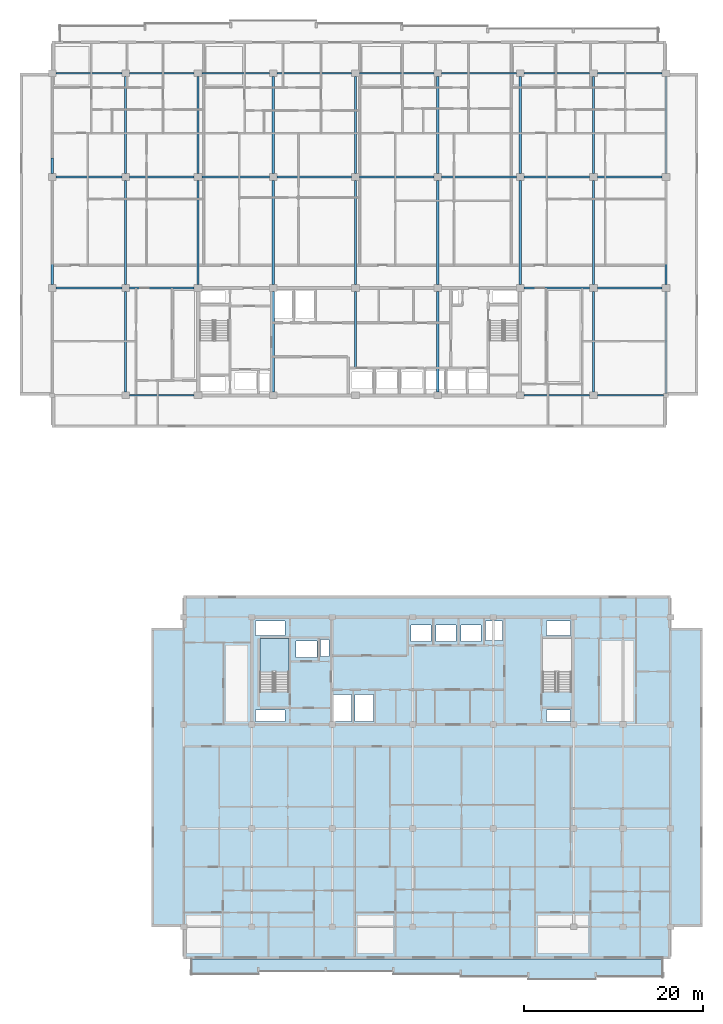
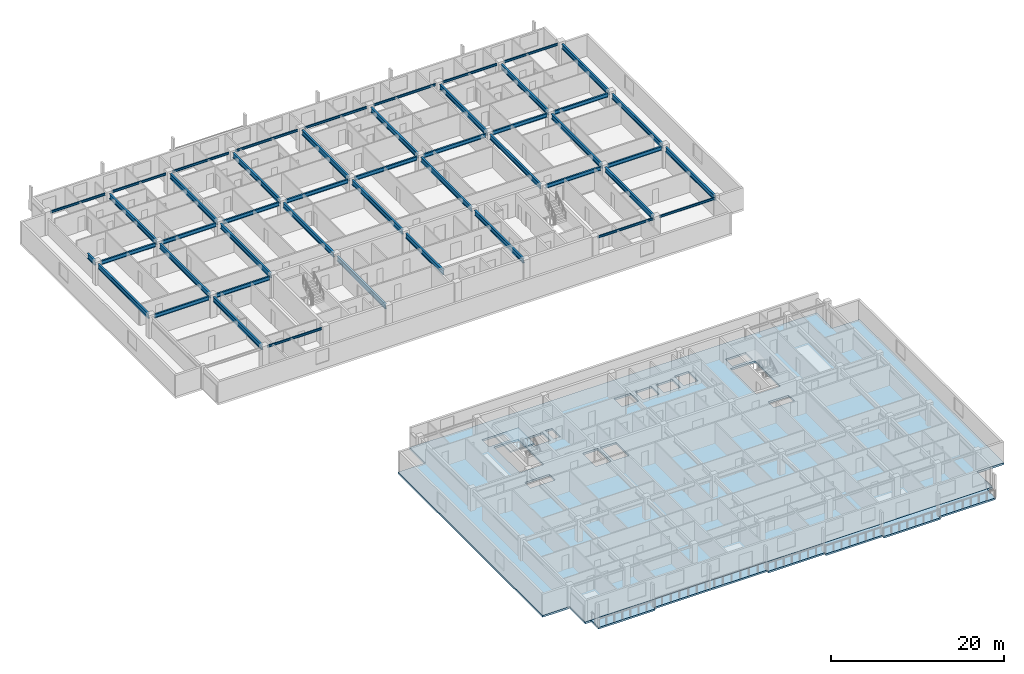
# One storey, part 2 of 24: 47 beams, 3 slabs, 1 element without a shape of its own.
"""IFC4 building model written with IfcOpenShell, lengths in metres."""

from ifc_helpers import new_model, si_unit, direction, frame, origin, origin_2d, place, context, subcontext, project, spatial, polyline, i_section, outline, extrude, material, layer, layer_set, material_profile, profile_set, type_object, element, aggregate, save


model = new_model("IFC4")

# Units and contexts
model_context = context("Model", 3, precision=1e-05, world=origin(), true_north=direction((0.0, 1.0)))
body_context = subcontext(model_context, "Body", "Model", "MODEL_VIEW")
ifc_project = project(units=[si_unit("LENGTHUNIT", "METRE"), si_unit("AREAUNIT", "SQUARE_METRE"), si_unit("VOLUMEUNIT", "CUBIC_METRE"), si_unit("PLANEANGLEUNIT", "RADIAN"), si_unit("MASSUNIT", "GRAM", prefix="KILO")], contexts=[model_context])

# Site, building, storey
site_placement = place(None, origin())
site = spatial("IfcSite", under=ifc_project, at=site_placement, CompositionType="ELEMENT")
building_placement = place(site_placement, origin())
building = spatial("IfcBuilding", under=site, at=building_placement, Name="Korimba Cascade Residences", CompositionType="ELEMENT")
storey_placement = place(building_placement, frame((0.0, 0.0, 168.60009765625)))
storey = spatial("IfcBuildingStorey", under=building, at=storey_placement, Name="L48", CompositionType="ELEMENT", Elevation=168.60009765625)

# Beams
ifc_material_1 = material(Name="Steel S355", Category="steel")
ifc_material_profile_1 = material_profile(ifc_material_1, i_section(OverallWidth=0.165771484375, OverallDepth=0.306640625, WebThickness=0.006591796875, FlangeThickness=0.01171875, FilletRadius=0.0087890625, at=origin_2d()), Name="Steel S355")
ifc_profile_set_1 = profile_set([ifc_material_profile_1], Name="Steel S355")
beam_type_1 = type_object("IfcBeamType", Name="BM-STL-UB305", PredefinedType="SPANDREL", material=ifc_profile_set_1)
beam_1_placement = place(storey_placement, frame((68.425048828125, 55.199951171875, 2.816650390625), z_axis=(1.0, 0.0, 0.0), x_axis=(0.0, 1.0, 0.0)))
element("IfcBeam", 1, at=beam_1_placement, inside=storey, type_object=beam_type_1, Name="L48 T1 E-W Girder Y1 Bay 2", PredefinedType="SPANDREL", context=body_context, shape_type="SweptSolid", body=[
    extrude(i_section(OverallWidth=0.165771484375, OverallDepth=0.306640625, WebThickness=0.006591796875, FlangeThickness=0.01171875, FilletRadius=0.0087890625, at=origin_2d()), origin(), (0.0, 0.0, 1.0), 7.25),
])
beam_2_placement = place(storey_placement, frame((112.52490234375, 55.199951171875, 2.816650390625), z_axis=(1.0, 0.0, 0.0), x_axis=(0.0, 1.0, 0.0)))
element("IfcBeam", 2, at=beam_2_placement, inside=storey, type_object=beam_type_1, Name="L48 T1 E-W Girder Y1 Bay 7", PredefinedType="SPANDREL", context=body_context, shape_type="SweptSolid", body=[
    extrude(i_section(OverallWidth=0.165771484375, OverallDepth=0.306640625, WebThickness=0.006591796875, FlangeThickness=0.01171875, FilletRadius=0.0087890625, at=origin_2d()), origin(), (0.0, 0.0, 1.0), 7.35009765625),
])
beam_3_placement = place(storey_placement, frame((120.72509765625, 55.199951171875, 2.816650390625), z_axis=(1.0, 0.0, 0.0), x_axis=(0.0, 1.0, 0.0)))
element("IfcBeam", 3, at=beam_3_placement, inside=storey, type_object=beam_type_1, Name="L48 T1 E-W Girder Y1 Bay 8", PredefinedType="SPANDREL", context=body_context, shape_type="SweptSolid", body=[
    extrude(i_section(OverallWidth=0.165771484375, OverallDepth=0.306640625, WebThickness=0.006591796875, FlangeThickness=0.01171875, FilletRadius=0.0087890625, at=origin_2d()), origin(), (0.0, 0.0, 1.0), 7.39990234375),
])
beam_4_placement = place(storey_placement, frame((60.22509765625, 91.199951171875, 2.816650390625), z_axis=(1.0, 0.0, 0.0), x_axis=(0.0, 1.0, 0.0)))
element("IfcBeam", 4, at=beam_4_placement, inside=storey, type_object=beam_type_1, Name="L48 T1 E-W Girder Y4 Bay 1", PredefinedType="SPANDREL", context=body_context, shape_type="SweptSolid", body=[
    extrude(i_section(OverallWidth=0.165771484375, OverallDepth=0.306640625, WebThickness=0.006591796875, FlangeThickness=0.01171875, FilletRadius=0.0087890625, at=origin_2d()), origin(), (0.0, 0.0, 1.0), 7.349853515625),
])
beam_5_placement = place(storey_placement, frame((68.425048828125, 91.199951171875, 2.816650390625), z_axis=(1.0, 0.0, 0.0), x_axis=(0.0, 1.0, 0.0)))
element("IfcBeam", 5, at=beam_5_placement, inside=storey, type_object=beam_type_1, Name="L48 T1 E-W Girder Y4 Bay 2", PredefinedType="SPANDREL", context=body_context, shape_type="SweptSolid", body=[
    extrude(i_section(OverallWidth=0.165771484375, OverallDepth=0.306640625, WebThickness=0.006591796875, FlangeThickness=0.01171875, FilletRadius=0.0087890625, at=origin_2d()), origin(), (0.0, 0.0, 1.0), 7.25),
])
beam_6_placement = place(storey_placement, frame((76.52490234375, 91.199951171875, 2.816650390625), z_axis=(1.0, 0.0, 0.0), x_axis=(0.0, 1.0, 0.0)))
element("IfcBeam", 6, at=beam_6_placement, inside=storey, type_object=beam_type_1, Name="L48 T1 E-W Girder Y4 Bay 3", PredefinedType="SPANDREL", context=body_context, shape_type="SweptSolid", body=[
    extrude(i_section(OverallWidth=0.165771484375, OverallDepth=0.306640625, WebThickness=0.006591796875, FlangeThickness=0.01171875, FilletRadius=0.0087890625, at=origin_2d()), origin(), (0.0, 0.0, 1.0), 7.550048828125),
])
beam_7_placement = place(storey_placement, frame((84.925048828125, 91.199951171875, 2.816650390625), z_axis=(1.0, 0.0, 0.0), x_axis=(0.0, 1.0, 0.0)))
element("IfcBeam", 7, at=beam_7_placement, inside=storey, type_object=beam_type_1, Name="L48 T1 E-W Girder Y4 Bay 4", PredefinedType="SPANDREL", context=body_context, shape_type="SweptSolid", body=[
    extrude(i_section(OverallWidth=0.165771484375, OverallDepth=0.306640625, WebThickness=0.006591796875, FlangeThickness=0.01171875, FilletRadius=0.0087890625, at=origin_2d()), origin(), (0.0, 0.0, 1.0), 8.349853515625),
])
for number, where, z_axis, x_axis, name in (
    (8, (94.125, 91.199951171875, 2.816650390625), (1.0, 0.0, 0.0), (0.0, 1.0, 0.0), "L48 T1 E-W Girder Y4 Bay 5"),
    (9, (103.324951171875, 91.199951171875, 2.816650390625), (1.0, 0.0, 0.0), (0.0, 1.0, 0.0), "L48 T1 E-W Girder Y4 Bay 6"),
):
    element("IfcBeam", number, at=place(storey_placement, frame(where, z_axis=z_axis, x_axis=x_axis)), inside=storey, type_object=beam_type_1, Name=name, PredefinedType="SPANDREL", context=body_context, shape_type="SweptSolid", body=[
        extrude(i_section(OverallWidth=0.165771484375, OverallDepth=0.306640625, WebThickness=0.006591796875, FlangeThickness=0.01171875, FilletRadius=0.0087890625, at=origin_2d()), origin(), (0.0, 0.0, 1.0), 8.35009765625),
    ])
beam_8_placement = place(storey_placement, frame((112.52490234375, 91.199951171875, 2.816650390625), z_axis=(1.0, 0.0, 0.0), x_axis=(0.0, 1.0, 0.0)))
element("IfcBeam", 10, at=beam_8_placement, inside=storey, type_object=beam_type_1, Name="L48 T1 E-W Girder Y4 Bay 7", PredefinedType="SPANDREL", context=body_context, shape_type="SweptSolid", body=[
    extrude(i_section(OverallWidth=0.165771484375, OverallDepth=0.306640625, WebThickness=0.006591796875, FlangeThickness=0.01171875, FilletRadius=0.0087890625, at=origin_2d()), origin(), (0.0, 0.0, 1.0), 7.35009765625),
])
beam_9_placement = place(storey_placement, frame((120.72509765625, 91.199951171875, 2.816650390625), z_axis=(1.0, 0.0, 0.0), x_axis=(0.0, 1.0, 0.0)))
element("IfcBeam", 11, at=beam_9_placement, inside=storey, type_object=beam_type_1, Name="L48 T1 E-W Girder Y4 Bay 8", PredefinedType="SPANDREL", context=body_context, shape_type="SweptSolid", body=[
    extrude(i_section(OverallWidth=0.165771484375, OverallDepth=0.306640625, WebThickness=0.006591796875, FlangeThickness=0.01171875, FilletRadius=0.0087890625, at=origin_2d()), origin(), (0.0, 0.0, 1.0), 7.25),
])
ifc_material_profile_2 = material_profile(ifc_material_1, i_section(OverallWidth=0.2099609375, OverallDepth=0.53662109375, WebThickness=0.0107421875, FlangeThickness=0.017333984375, FilletRadius=0.0126953125, at=origin_2d()), Name="Steel S355")
ifc_profile_set_2 = profile_set([ifc_material_profile_2], Name="Steel S355")
beam_type_2 = type_object("IfcBeamType", Name="BM-STL-UB533", PredefinedType="BEAM", material=ifc_profile_set_2)
beam_10_placement = place(storey_placement, frame((60.22509765625, 67.199951171875, 2.701416015625), z_axis=(1.0, 0.0, 0.0), x_axis=(0.0, 1.0, 0.0)))
element("IfcBeam", 12, at=beam_10_placement, inside=storey, type_object=beam_type_2, Name="L48 T1 E-W Girder Y2 Bay 1", PredefinedType="BEAM", context=body_context, shape_type="SweptSolid", body=[
    extrude(i_section(OverallWidth=0.2099609375, OverallDepth=0.53662109375, WebThickness=0.0107421875, FlangeThickness=0.017333984375, FilletRadius=0.0126953125, at=origin_2d()), origin(), (0.0, 0.0, 1.0), 7.349853515625),
])
beam_11_placement = place(storey_placement, frame((68.425048828125, 67.199951171875, 2.701416015625), z_axis=(1.0, 0.0, 0.0), x_axis=(0.0, 1.0, 0.0)))
element("IfcBeam", 13, at=beam_11_placement, inside=storey, type_object=beam_type_2, Name="L48 T1 E-W Girder Y2 Bay 2", PredefinedType="BEAM", context=body_context, shape_type="SweptSolid", body=[
    extrude(i_section(OverallWidth=0.2099609375, OverallDepth=0.53662109375, WebThickness=0.0107421875, FlangeThickness=0.017333984375, FilletRadius=0.0126953125, at=origin_2d()), origin(), (0.0, 0.0, 1.0), 7.25),
])
beam_12_placement = place(storey_placement, frame((112.52490234375, 67.199951171875, 2.701416015625), z_axis=(1.0, 0.0, 0.0), x_axis=(0.0, 1.0, 0.0)))
element("IfcBeam", 14, at=beam_12_placement, inside=storey, type_object=beam_type_2, Name="L48 T1 E-W Girder Y2 Bay 7", PredefinedType="BEAM", context=body_context, shape_type="SweptSolid", body=[
    extrude(i_section(OverallWidth=0.2099609375, OverallDepth=0.53662109375, WebThickness=0.0107421875, FlangeThickness=0.017333984375, FilletRadius=0.0126953125, at=origin_2d()), origin(), (0.0, 0.0, 1.0), 7.35009765625),
])
beam_13_placement = place(storey_placement, frame((120.72509765625, 67.199951171875, 2.701416015625), z_axis=(1.0, 0.0, 0.0), x_axis=(0.0, 1.0, 0.0)))
element("IfcBeam", 15, at=beam_13_placement, inside=storey, type_object=beam_type_2, Name="L48 T1 E-W Girder Y2 Bay 8", PredefinedType="BEAM", context=body_context, shape_type="SweptSolid", body=[
    extrude(i_section(OverallWidth=0.2099609375, OverallDepth=0.53662109375, WebThickness=0.0107421875, FlangeThickness=0.017333984375, FilletRadius=0.0126953125, at=origin_2d()), origin(), (0.0, 0.0, 1.0), 7.25),
])
beam_14_placement = place(storey_placement, frame((60.22509765625, 79.60009765625, 2.701416015625), z_axis=(1.0, 0.0, 0.0), x_axis=(0.0, 1.0, 0.0)))
element("IfcBeam", 16, at=beam_14_placement, inside=storey, type_object=beam_type_2, Name="L48 T1 E-W Girder Y3 Bay 1", PredefinedType="BEAM", context=body_context, shape_type="SweptSolid", body=[
    extrude(i_section(OverallWidth=0.2099609375, OverallDepth=0.53662109375, WebThickness=0.0107421875, FlangeThickness=0.017333984375, FilletRadius=0.0126953125, at=origin_2d()), origin(), (0.0, 0.0, 1.0), 7.349853515625),
])
beam_15_placement = place(storey_placement, frame((68.425048828125, 79.60009765625, 2.701416015625), z_axis=(1.0, 0.0, 0.0), x_axis=(0.0, 1.0, 0.0)))
element("IfcBeam", 17, at=beam_15_placement, inside=storey, type_object=beam_type_2, Name="L48 T1 E-W Girder Y3 Bay 2", PredefinedType="BEAM", context=body_context, shape_type="SweptSolid", body=[
    extrude(i_section(OverallWidth=0.2099609375, OverallDepth=0.53662109375, WebThickness=0.0107421875, FlangeThickness=0.017333984375, FilletRadius=0.0126953125, at=origin_2d()), origin(), (0.0, 0.0, 1.0), 7.25),
])
beam_16_placement = place(storey_placement, frame((76.52490234375, 79.60009765625, 2.701416015625), z_axis=(1.0, 0.0, 0.0), x_axis=(0.0, 1.0, 0.0)))
element("IfcBeam", 18, at=beam_16_placement, inside=storey, type_object=beam_type_2, Name="L48 T1 E-W Girder Y3 Bay 3", PredefinedType="BEAM", context=body_context, shape_type="SweptSolid", body=[
    extrude(i_section(OverallWidth=0.2099609375, OverallDepth=0.53662109375, WebThickness=0.0107421875, FlangeThickness=0.017333984375, FilletRadius=0.0126953125, at=origin_2d()), origin(), (0.0, 0.0, 1.0), 7.550048828125),
])
beam_17_placement = place(storey_placement, frame((84.925048828125, 79.60009765625, 2.701416015625), z_axis=(1.0, 0.0, 0.0), x_axis=(0.0, 1.0, 0.0)))
element("IfcBeam", 19, at=beam_17_placement, inside=storey, type_object=beam_type_2, Name="L48 T1 E-W Girder Y3 Bay 4", PredefinedType="BEAM", context=body_context, shape_type="SweptSolid", body=[
    extrude(i_section(OverallWidth=0.2099609375, OverallDepth=0.53662109375, WebThickness=0.0107421875, FlangeThickness=0.017333984375, FilletRadius=0.0126953125, at=origin_2d()), origin(), (0.0, 0.0, 1.0), 8.349853515625),
])
for number, where, z_axis, x_axis, name in (
    (20, (94.125, 79.60009765625, 2.701416015625), (1.0, 0.0, 0.0), (0.0, 1.0, 0.0), "L48 T1 E-W Girder Y3 Bay 5"),
    (21, (103.324951171875, 79.60009765625, 2.701416015625), (1.0, 0.0, 0.0), (0.0, 1.0, 0.0), "L48 T1 E-W Girder Y3 Bay 6"),
):
    element("IfcBeam", number, at=place(storey_placement, frame(where, z_axis=z_axis, x_axis=x_axis)), inside=storey, type_object=beam_type_2, Name=name, PredefinedType="BEAM", context=body_context, shape_type="SweptSolid", body=[
        extrude(i_section(OverallWidth=0.2099609375, OverallDepth=0.53662109375, WebThickness=0.0107421875, FlangeThickness=0.017333984375, FilletRadius=0.0126953125, at=origin_2d()), origin(), (0.0, 0.0, 1.0), 8.35009765625),
    ])
beam_18_placement = place(storey_placement, frame((112.52490234375, 79.60009765625, 2.701416015625), z_axis=(1.0, 0.0, 0.0), x_axis=(0.0, 1.0, 0.0)))
element("IfcBeam", 22, at=beam_18_placement, inside=storey, type_object=beam_type_2, Name="L48 T1 E-W Girder Y3 Bay 7", PredefinedType="BEAM", context=body_context, shape_type="SweptSolid", body=[
    extrude(i_section(OverallWidth=0.2099609375, OverallDepth=0.53662109375, WebThickness=0.0107421875, FlangeThickness=0.017333984375, FilletRadius=0.0126953125, at=origin_2d()), origin(), (0.0, 0.0, 1.0), 7.35009765625),
])
beam_19_placement = place(storey_placement, frame((120.72509765625, 79.60009765625, 2.701416015625), z_axis=(1.0, 0.0, 0.0), x_axis=(0.0, 1.0, 0.0)))
element("IfcBeam", 23, at=beam_19_placement, inside=storey, type_object=beam_type_2, Name="L48 T1 E-W Girder Y3 Bay 8", PredefinedType="BEAM", context=body_context, shape_type="SweptSolid", body=[
    extrude(i_section(OverallWidth=0.2099609375, OverallDepth=0.53662109375, WebThickness=0.0107421875, FlangeThickness=0.017333984375, FilletRadius=0.0126953125, at=origin_2d()), origin(), (0.0, 0.0, 1.0), 7.25),
])
ifc_material_profile_3 = material_profile(ifc_material_1, i_section(OverallWidth=0.255859375, OverallDepth=0.69287109375, WebThickness=0.014404296875, FlangeThickness=0.023681640625, FilletRadius=0.01513671875, at=origin_2d()), Name="Steel S355")
ifc_profile_set_3 = profile_set([ifc_material_profile_3], Name="Steel S355")
beam_type_3 = type_object("IfcBeamType", Name="BM-STL-UB686", PredefinedType="BEAM", material=ifc_profile_set_3)
beam_20_placement = place(storey_placement, frame((59.800048828125, 67.574951171875, 2.623291015625), z_axis=(0.0, 1.0, 0.0), x_axis=(-1.0, 0.0, 0.0)))
element("IfcBeam", 24, at=beam_20_placement, inside=storey, type_object=beam_type_3, Name="L48 T1 N-S Girder X1 Seg 2", PredefinedType="BEAM", context=body_context, shape_type="SweptSolid", body=[
    extrude(i_section(OverallWidth=0.255859375, OverallDepth=0.69287109375, WebThickness=0.014404296875, FlangeThickness=0.023681640625, FilletRadius=0.01513671875, at=origin_2d()), origin(), (0.0, 0.0, 1.0), 11.650146484375),
])
beam_21_placement = place(storey_placement, frame((59.800048828125, 79.97509765625, 2.623291015625), z_axis=(0.0, 1.0, 0.0), x_axis=(-1.0, 0.0, 0.0)))
element("IfcBeam", 25, at=beam_21_placement, inside=storey, type_object=beam_type_3, Name="L48 T1 N-S Girder X1 Seg 3", PredefinedType="BEAM", context=body_context, shape_type="SweptSolid", body=[
    extrude(i_section(OverallWidth=0.255859375, OverallDepth=0.69287109375, WebThickness=0.014404296875, FlangeThickness=0.023681640625, FilletRadius=0.01513671875, at=origin_2d()), origin(), (0.0, 0.0, 1.0), 1.724853515625),
])
beam_22_placement = place(storey_placement, frame((68.0, 55.574951171875, 2.623291015625), z_axis=(0.0, 1.0, 0.0), x_axis=(-1.0, 0.0, 0.0)))
element("IfcBeam", 26, at=beam_22_placement, inside=storey, type_object=beam_type_3, Name="L48 T1 N-S Girder X2 Seg 1", PredefinedType="BEAM", context=body_context, shape_type="SweptSolid", body=[
    extrude(i_section(OverallWidth=0.255859375, OverallDepth=0.69287109375, WebThickness=0.014404296875, FlangeThickness=0.023681640625, FilletRadius=0.01513671875, at=origin_2d()), origin(), (0.0, 0.0, 1.0), 11.25),
])
beam_23_placement = place(storey_placement, frame((68.0, 67.574951171875, 2.623291015625), z_axis=(0.0, 1.0, 0.0), x_axis=(-1.0, 0.0, 0.0)))
element("IfcBeam", 27, at=beam_23_placement, inside=storey, type_object=beam_type_3, Name="L48 T1 N-S Girder X2 Seg 2", PredefinedType="BEAM", context=body_context, shape_type="SweptSolid", body=[
    extrude(i_section(OverallWidth=0.255859375, OverallDepth=0.69287109375, WebThickness=0.014404296875, FlangeThickness=0.023681640625, FilletRadius=0.01513671875, at=origin_2d()), origin(), (0.0, 0.0, 1.0), 11.650146484375),
])
beam_24_placement = place(storey_placement, frame((68.0, 79.97509765625, 2.623291015625), z_axis=(0.0, 1.0, 0.0), x_axis=(-1.0, 0.0, 0.0)))
element("IfcBeam", 28, at=beam_24_placement, inside=storey, type_object=beam_type_3, Name="L48 T1 N-S Girder X2 Seg 3", PredefinedType="BEAM", context=body_context, shape_type="SweptSolid", body=[
    extrude(i_section(OverallWidth=0.255859375, OverallDepth=0.69287109375, WebThickness=0.014404296875, FlangeThickness=0.023681640625, FilletRadius=0.01513671875, at=origin_2d()), origin(), (0.0, 0.0, 1.0), 10.849853515625),
])
beam_25_placement = place(storey_placement, frame((76.10009765625, 67.574951171875, 2.623291015625), z_axis=(0.0, 1.0, 0.0), x_axis=(-1.0, 0.0, 0.0)))
element("IfcBeam", 29, at=beam_25_placement, inside=storey, type_object=beam_type_3, Name="L48 T1 N-S Girder X3 Seg 2", PredefinedType="BEAM", context=body_context, shape_type="SweptSolid", body=[
    extrude(i_section(OverallWidth=0.255859375, OverallDepth=0.69287109375, WebThickness=0.014404296875, FlangeThickness=0.023681640625, FilletRadius=0.01513671875, at=origin_2d()), origin(), (0.0, 0.0, 1.0), 11.650146484375),
])
beam_26_placement = place(storey_placement, frame((76.10009765625, 79.97509765625, 2.623291015625), z_axis=(0.0, 1.0, 0.0), x_axis=(-1.0, 0.0, 0.0)))
element("IfcBeam", 30, at=beam_26_placement, inside=storey, type_object=beam_type_3, Name="L48 T1 N-S Girder X3 Seg 3", PredefinedType="BEAM", context=body_context, shape_type="SweptSolid", body=[
    extrude(i_section(OverallWidth=0.255859375, OverallDepth=0.69287109375, WebThickness=0.014404296875, FlangeThickness=0.023681640625, FilletRadius=0.01513671875, at=origin_2d()), origin(), (0.0, 0.0, 1.0), 10.849853515625),
])
beam_27_placement = place(storey_placement, frame((84.5, 55.574951171875, 2.623291015625), z_axis=(0.0, 1.0, 0.0), x_axis=(-1.0, 0.0, 0.0)))
element("IfcBeam", 31, at=beam_27_placement, inside=storey, type_object=beam_type_3, Name="L48 T1 N-S Girder X4 Seg 1", PredefinedType="BEAM", context=body_context, shape_type="SweptSolid", body=[
    extrude(i_section(OverallWidth=0.255859375, OverallDepth=0.69287109375, WebThickness=0.014404296875, FlangeThickness=0.023681640625, FilletRadius=0.01513671875, at=origin_2d()), origin(), (0.0, 0.0, 1.0), 11.25),
])
beam_28_placement = place(storey_placement, frame((84.5, 67.574951171875, 2.623291015625), z_axis=(0.0, 1.0, 0.0), x_axis=(-1.0, 0.0, 0.0)))
element("IfcBeam", 32, at=beam_28_placement, inside=storey, type_object=beam_type_3, Name="L48 T1 N-S Girder X4 Seg 2", PredefinedType="BEAM", context=body_context, shape_type="SweptSolid", body=[
    extrude(i_section(OverallWidth=0.255859375, OverallDepth=0.69287109375, WebThickness=0.014404296875, FlangeThickness=0.023681640625, FilletRadius=0.01513671875, at=origin_2d()), origin(), (0.0, 0.0, 1.0), 11.650146484375),
])
beam_29_placement = place(storey_placement, frame((84.5, 79.97509765625, 2.623291015625), z_axis=(0.0, 1.0, 0.0), x_axis=(-1.0, 0.0, 0.0)))
element("IfcBeam", 33, at=beam_29_placement, inside=storey, type_object=beam_type_3, Name="L48 T1 N-S Girder X4 Seg 3", PredefinedType="BEAM", context=body_context, shape_type="SweptSolid", body=[
    extrude(i_section(OverallWidth=0.255859375, OverallDepth=0.69287109375, WebThickness=0.014404296875, FlangeThickness=0.023681640625, FilletRadius=0.01513671875, at=origin_2d()), origin(), (0.0, 0.0, 1.0), 10.849853515625),
])
beam_30_placement = place(storey_placement, frame((93.699951171875, 58.159912109375, 2.623291015625), z_axis=(0.0, 1.0, 0.0), x_axis=(-1.0, 0.0, 0.0)))
element("IfcBeam", 34, at=beam_30_placement, inside=storey, type_object=beam_type_3, Name="L48 T1 N-S Girder X5 Seg 1", PredefinedType="BEAM", context=body_context, shape_type="SweptSolid", body=[
    extrude(i_section(OverallWidth=0.255859375, OverallDepth=0.69287109375, WebThickness=0.014404296875, FlangeThickness=0.023681640625, FilletRadius=0.01513671875, at=origin_2d()), origin(), (0.0, 0.0, 1.0), 8.6650390625),
])
beam_31_placement = place(storey_placement, frame((93.699951171875, 67.574951171875, 2.623291015625), z_axis=(0.0, 1.0, 0.0), x_axis=(-1.0, 0.0, 0.0)))
element("IfcBeam", 35, at=beam_31_placement, inside=storey, type_object=beam_type_3, Name="L48 T1 N-S Girder X5 Seg 2", PredefinedType="BEAM", context=body_context, shape_type="SweptSolid", body=[
    extrude(i_section(OverallWidth=0.255859375, OverallDepth=0.69287109375, WebThickness=0.014404296875, FlangeThickness=0.023681640625, FilletRadius=0.01513671875, at=origin_2d()), origin(), (0.0, 0.0, 1.0), 11.650146484375),
])
beam_32_placement = place(storey_placement, frame((93.699951171875, 79.97509765625, 2.623291015625), z_axis=(0.0, 1.0, 0.0), x_axis=(-1.0, 0.0, 0.0)))
element("IfcBeam", 36, at=beam_32_placement, inside=storey, type_object=beam_type_3, Name="L48 T1 N-S Girder X5 Seg 3", PredefinedType="BEAM", context=body_context, shape_type="SweptSolid", body=[
    extrude(i_section(OverallWidth=0.255859375, OverallDepth=0.69287109375, WebThickness=0.014404296875, FlangeThickness=0.023681640625, FilletRadius=0.01513671875, at=origin_2d()), origin(), (0.0, 0.0, 1.0), 10.849853515625),
])
beam_33_placement = place(storey_placement, frame((102.89990234375, 55.574951171875, 2.623291015625), z_axis=(0.0, 1.0, 0.0), x_axis=(-1.0, 0.0, 0.0)))
element("IfcBeam", 37, at=beam_33_placement, inside=storey, type_object=beam_type_3, Name="L48 T1 N-S Girder X6 Seg 1", PredefinedType="BEAM", context=body_context, shape_type="SweptSolid", body=[
    extrude(i_section(OverallWidth=0.255859375, OverallDepth=0.69287109375, WebThickness=0.014404296875, FlangeThickness=0.023681640625, FilletRadius=0.01513671875, at=origin_2d()), origin(), (0.0, 0.0, 1.0), 11.25),
])
beam_34_placement = place(storey_placement, frame((102.89990234375, 67.574951171875, 2.623291015625), z_axis=(0.0, 1.0, 0.0), x_axis=(-1.0, 0.0, 0.0)))
element("IfcBeam", 38, at=beam_34_placement, inside=storey, type_object=beam_type_3, Name="L48 T1 N-S Girder X6 Seg 2", PredefinedType="BEAM", context=body_context, shape_type="SweptSolid", body=[
    extrude(i_section(OverallWidth=0.255859375, OverallDepth=0.69287109375, WebThickness=0.014404296875, FlangeThickness=0.023681640625, FilletRadius=0.01513671875, at=origin_2d()), origin(), (0.0, 0.0, 1.0), 11.650146484375),
])
beam_35_placement = place(storey_placement, frame((102.89990234375, 79.97509765625, 2.623291015625), z_axis=(0.0, 1.0, 0.0), x_axis=(-1.0, 0.0, 0.0)))
element("IfcBeam", 39, at=beam_35_placement, inside=storey, type_object=beam_type_3, Name="L48 T1 N-S Girder X6 Seg 3", PredefinedType="BEAM", context=body_context, shape_type="SweptSolid", body=[
    extrude(i_section(OverallWidth=0.255859375, OverallDepth=0.69287109375, WebThickness=0.014404296875, FlangeThickness=0.023681640625, FilletRadius=0.01513671875, at=origin_2d()), origin(), (0.0, 0.0, 1.0), 10.849853515625),
])
beam_36_placement = place(storey_placement, frame((112.10009765625, 67.574951171875, 2.623291015625), z_axis=(0.0, 1.0, 0.0), x_axis=(-1.0, 0.0, 0.0)))
element("IfcBeam", 40, at=beam_36_placement, inside=storey, type_object=beam_type_3, Name="L48 T1 N-S Girder X7 Seg 2", PredefinedType="BEAM", context=body_context, shape_type="SweptSolid", body=[
    extrude(i_section(OverallWidth=0.255859375, OverallDepth=0.69287109375, WebThickness=0.014404296875, FlangeThickness=0.023681640625, FilletRadius=0.01513671875, at=origin_2d()), origin(), (0.0, 0.0, 1.0), 11.650146484375),
])
beam_37_placement = place(storey_placement, frame((112.10009765625, 79.97509765625, 2.623291015625), z_axis=(0.0, 1.0, 0.0), x_axis=(-1.0, 0.0, 0.0)))
element("IfcBeam", 41, at=beam_37_placement, inside=storey, type_object=beam_type_3, Name="L48 T1 N-S Girder X7 Seg 3", PredefinedType="BEAM", context=body_context, shape_type="SweptSolid", body=[
    extrude(i_section(OverallWidth=0.255859375, OverallDepth=0.69287109375, WebThickness=0.014404296875, FlangeThickness=0.023681640625, FilletRadius=0.01513671875, at=origin_2d()), origin(), (0.0, 0.0, 1.0), 10.849853515625),
])
beam_38_placement = place(storey_placement, frame((120.300048828125, 55.574951171875, 2.623291015625), z_axis=(0.0, 1.0, 0.0), x_axis=(-1.0, 0.0, 0.0)))
element("IfcBeam", 42, at=beam_38_placement, inside=storey, type_object=beam_type_3, Name="L48 T1 N-S Girder X8 Seg 1", PredefinedType="BEAM", context=body_context, shape_type="SweptSolid", body=[
    extrude(i_section(OverallWidth=0.255859375, OverallDepth=0.69287109375, WebThickness=0.014404296875, FlangeThickness=0.023681640625, FilletRadius=0.01513671875, at=origin_2d()), origin(), (0.0, 0.0, 1.0), 11.25),
])
beam_39_placement = place(storey_placement, frame((120.300048828125, 67.574951171875, 2.623291015625), z_axis=(0.0, 1.0, 0.0), x_axis=(-1.0, 0.0, 0.0)))
element("IfcBeam", 43, at=beam_39_placement, inside=storey, type_object=beam_type_3, Name="L48 T1 N-S Girder X8 Seg 2", PredefinedType="BEAM", context=body_context, shape_type="SweptSolid", body=[
    extrude(i_section(OverallWidth=0.255859375, OverallDepth=0.69287109375, WebThickness=0.014404296875, FlangeThickness=0.023681640625, FilletRadius=0.01513671875, at=origin_2d()), origin(), (0.0, 0.0, 1.0), 11.650146484375),
])
beam_40_placement = place(storey_placement, frame((120.300048828125, 79.97509765625, 2.623291015625), z_axis=(0.0, 1.0, 0.0), x_axis=(-1.0, 0.0, 0.0)))
element("IfcBeam", 44, at=beam_40_placement, inside=storey, type_object=beam_type_3, Name="L48 T1 N-S Girder X8 Seg 3", PredefinedType="BEAM", context=body_context, shape_type="SweptSolid", body=[
    extrude(i_section(OverallWidth=0.255859375, OverallDepth=0.69287109375, WebThickness=0.014404296875, FlangeThickness=0.023681640625, FilletRadius=0.01513671875, at=origin_2d()), origin(), (0.0, 0.0, 1.0), 10.849853515625),
])
beam_41_placement = place(storey_placement, frame((128.39990234375, 55.425048828125, 2.623291015625), z_axis=(0.0, 1.0, 0.0), x_axis=(-1.0, 0.0, 0.0)))
element("IfcBeam", 45, at=beam_41_placement, inside=storey, type_object=beam_type_3, Name="L48 T1 N-S Girder X9 Seg 1", PredefinedType="BEAM", context=body_context, shape_type="SweptSolid", body=[
    extrude(i_section(OverallWidth=0.255859375, OverallDepth=0.69287109375, WebThickness=0.014404296875, FlangeThickness=0.023681640625, FilletRadius=0.01513671875, at=origin_2d()), origin(), (0.0, 0.0, 1.0), 11.39990234375),
])
beam_42_placement = place(storey_placement, frame((128.39990234375, 67.574951171875, 2.623291015625), z_axis=(0.0, 1.0, 0.0), x_axis=(-1.0, 0.0, 0.0)))
element("IfcBeam", 46, at=beam_42_placement, inside=storey, type_object=beam_type_3, Name="L48 T1 N-S Girder X9 Seg 2", PredefinedType="BEAM", context=body_context, shape_type="SweptSolid", body=[
    extrude(i_section(OverallWidth=0.255859375, OverallDepth=0.69287109375, WebThickness=0.014404296875, FlangeThickness=0.023681640625, FilletRadius=0.01513671875, at=origin_2d()), origin(), (0.0, 0.0, 1.0), 11.650146484375),
])
beam_43_placement = place(storey_placement, frame((128.39990234375, 79.97509765625, 2.623291015625), z_axis=(0.0, 1.0, 0.0), x_axis=(-1.0, 0.0, 0.0)))
element("IfcBeam", 47, at=beam_43_placement, inside=storey, type_object=beam_type_3, Name="L48 T1 N-S Girder X9 Seg 3", PredefinedType="BEAM", context=body_context, shape_type="SweptSolid", body=[
    extrude(i_section(OverallWidth=0.255859375, OverallDepth=0.69287109375, WebThickness=0.014404296875, FlangeThickness=0.023681640625, FilletRadius=0.01513671875, at=origin_2d()), origin(), (0.0, 0.0, 1.0), 10.849853515625),
])

# Stair, slab
ifc_material_2 = material(Name="Concrete C50/60", Category="concrete")
stair_type = type_object("IfcStairType", Name="STR-E1-18R-1806", PredefinedType="HALF_TURN_STAIR", material=ifc_material_2)
stair_placement = place(storey_placement, origin())
stair = element("IfcStair", 48, at=stair_placement, inside=storey, type_object=stair_type, Name="L48 Tower 2 West Fire Stair ST-E1", PredefinedType="HALF_TURN_STAIR")
ifc_layer_1 = layer(ifc_material_2, 0.199951171875)
ifc_layer_set_1 = layer_set([ifc_layer_1], Name="Concrete C50/60")
slab_type_1 = type_object("IfcSlabType", Name="SLB-LND-220", PredefinedType="LANDING", material=ifc_layer_set_1)
slab_1_placement = place(storey_placement, frame((0.0, 0.0, 1.4248046875)))
slab_1 = element("IfcSlab", 49, at=slab_1_placement, type_object=slab_type_1, Name="ST-E1 landing 1", PredefinedType="LANDING", context=body_context, shape_type="SweptSolid", body=[
    extrude(outline(polyline([(86.239990234375, 24.2900390625), (86.239990234375, 28.0), (83.0, 28.0), (83.0, 24.2900390625), (86.239990234375, 24.2900390625)])), origin(), (0.0, 0.0, 1.0), 0.2001953125),
])
aggregate(stair, [slab_1])

# Slabs
ifc_material_3 = material(Name="Precast concrete C40/50", Category="concrete")
ifc_layer_2 = layer(ifc_material_3, 0.239990234375)
ifc_layer_set_2 = layer_set([ifc_layer_2], Name="Precast concrete C40/50")
slab_type_2 = type_object("IfcSlabType", Name="SLB-LOG-240", PredefinedType="FLOOR", material=ifc_layer_set_2)
slab_2_placement = place(storey_placement, frame((0.0, 0.0, -0.239990234375)))
element("IfcSlab", 50, at=slab_2_placement, inside=storey, type_object=slab_type_2, Name="L48 Tower 2 South Loggia Slab", PredefinedType="FLOOR", context=body_context, shape_type="SweptSolid", body=[
    extrude(outline(polyline([(75.300048828125, -9.550048828125), (82.843017578125, -9.550048828125), (82.843017578125, -9.25), (97.9287109375, -9.25), (97.9287109375, -9.550048828125), (105.471435546875, -9.550048828125), (105.471435546875, -9.85009765625), (113.014404296875, -9.85009765625), (113.014404296875, -10.14990234375), (120.55712890625, -10.14990234375), (120.55712890625, -9.85009765625), (128.10009765625, -9.85009765625), (128.10009765625, -7.800048828125), (75.300048828125, -7.800048828125), (75.300048828125, -9.550048828125)])), origin(), (0.0, 0.0, 1.0), 0.239990234375),
])
ifc_layer_3 = layer(ifc_material_2, 0.280029296875)
ifc_layer_set_3 = layer_set([ifc_layer_3], Name="Concrete C50/60")
slab_type_3 = type_object("IfcSlabType", Name="SLB-TYP-280", PredefinedType="FLOOR", material=ifc_layer_set_3)
slab_3_placement = place(storey_placement, frame((0.0, 0.0, -0.280029296875)))
element("IfcSlab", 51, at=slab_3_placement, inside=storey, type_object=slab_type_3, Name="L48 Tower 2 Floor Slab", PredefinedType="FLOOR", context=body_context, shape_type="SweptSolid", body=[
    extrude(outline(polyline([(74.5, -7.800048828125), (128.89990234375, -7.800048828125), (128.89990234375, -4.199951171875), (132.5, -4.199951171875), (132.5, 29.199951171875), (128.89990234375, 29.199951171875), (128.89990234375, 32.800048828125), (74.5, 32.800048828125), (74.5, 29.199951171875), (70.89990234375, 29.199951171875), (70.89990234375, -4.199951171875), (74.5, -4.199951171875), (74.5, -7.800048828125)]), holes=[polyline([(86.239990234375, 22.0849609375), (86.239990234375, 28.0), (83.0, 28.0), (83.0, 22.0849609375), (86.239990234375, 22.0849609375)]), polyline([(117.840087890625, 22.0849609375), (117.840087890625, 28.0), (114.60009765625, 28.0), (114.60009765625, 22.0849609375), (117.840087890625, 22.0849609375)]), polyline([(87.030029296875, 25.8798828125), (89.3701171875, 25.8798828125), (89.3701171875, 27.719970703125), (87.030029296875, 27.719970703125), (87.030029296875, 25.8798828125)]), polyline([(99.8798828125, 27.679931640625), (102.1201171875, 27.679931640625), (102.1201171875, 29.52001953125), (99.8798828125, 29.52001953125), (99.8798828125, 27.679931640625)]), polyline([(102.679931640625, 27.679931640625), (104.919921875, 27.679931640625), (104.919921875, 29.52001953125), (102.679931640625, 29.52001953125), (102.679931640625, 27.679931640625)]), polyline([(105.47998046875, 27.679931640625), (107.719970703125, 27.679931640625), (107.719970703125, 29.52001953125), (105.47998046875, 29.52001953125), (105.47998046875, 27.679931640625)]), polyline([(89.780029296875, 25.97998046875), (90.719970703125, 25.97998046875), (90.719970703125, 27.919921875), (89.780029296875, 27.919921875), (89.780029296875, 25.97998046875)]), polyline([(82.530029296875, 18.72998046875), (85.800048828125, 18.72998046875), (85.800048828125, 20.0400390625), (82.530029296875, 20.0400390625), (82.530029296875, 18.72998046875)]), polyline([(82.530029296875, 28.360107421875), (85.800048828125, 28.360107421875), (85.800048828125, 29.969970703125), (82.530029296875, 29.969970703125), (82.530029296875, 28.360107421875)]), polyline([(108.22998046875, 27.780029296875), (110.1201171875, 27.780029296875), (110.1201171875, 29.969970703125), (108.22998046875, 29.969970703125), (108.22998046875, 27.780029296875)]), polyline([(91.22998046875, 18.72998046875), (93.27001953125, 18.72998046875), (93.27001953125, 21.780029296875), (91.22998046875, 21.780029296875), (91.22998046875, 18.72998046875)]), polyline([(93.6298828125, 18.72998046875), (95.719970703125, 18.72998046875), (95.719970703125, 21.780029296875), (93.6298828125, 21.780029296875), (93.6298828125, 18.72998046875)]), polyline([(115.02001953125, 18.72998046875), (117.739990234375, 18.72998046875), (117.739990234375, 20.0400390625), (115.02001953125, 20.0400390625), (115.02001953125, 18.72998046875)]), polyline([(115.02001953125, 28.360107421875), (117.739990234375, 28.360107421875), (117.739990234375, 29.969970703125), (115.02001953125, 29.969970703125), (115.02001953125, 28.360107421875)])]), origin(), (0.0, 0.0, 1.0), 0.280029296875),
])

save(model, "model.ifc")
